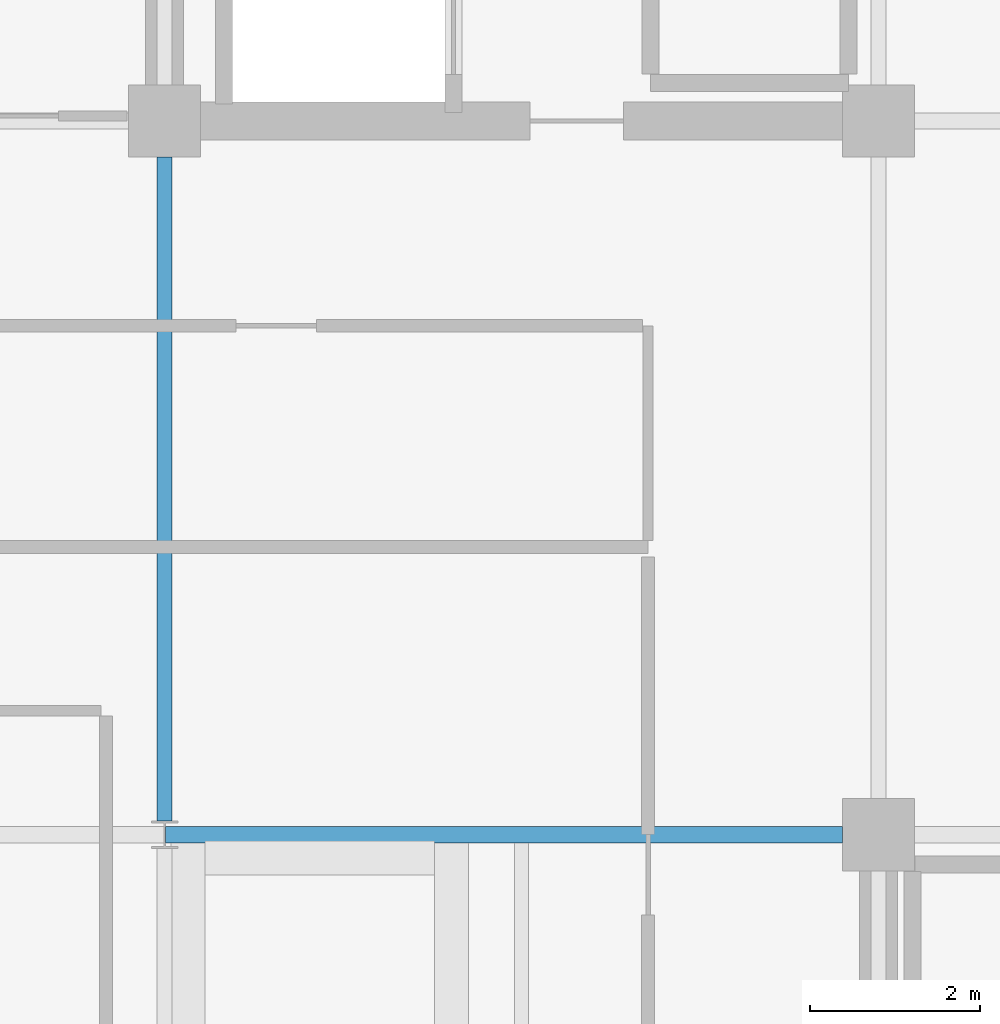
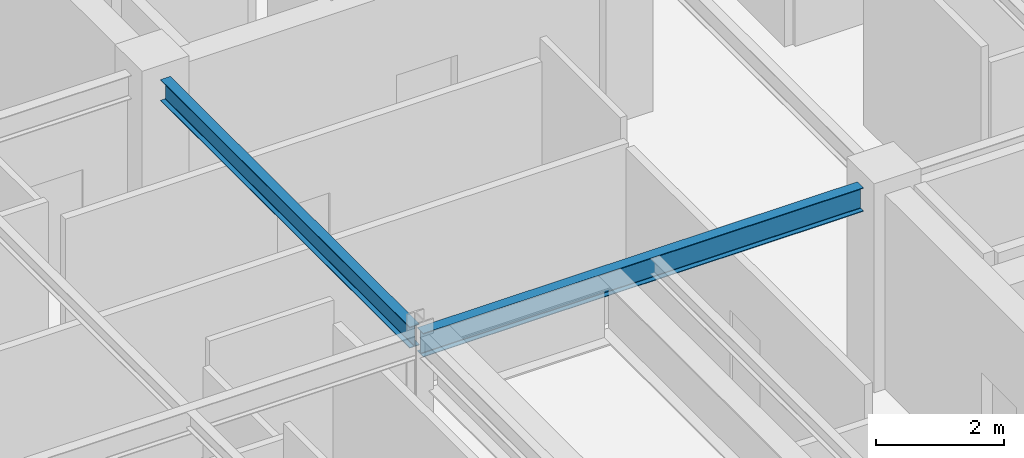
# One storey, part 10 of 25: 2 beams.
"""IFC4 building model written with IfcOpenShell, lengths in metres."""

from ifc_helpers import new_model, si_unit, direction, frame, origin, origin_2d, place, context, subcontext, project, spatial, i_section, extrude, material, material_profile, profile_set, type_object, element, save


model = new_model("IFC4")

# Units and contexts
model_context = context("Model", 3, precision=1e-05, world=origin(), true_north=direction((0.0, 1.0)))
body_context = subcontext(model_context, "Body", "Model", "MODEL_VIEW")
ifc_project = project(units=[si_unit("LENGTHUNIT", "METRE"), si_unit("AREAUNIT", "SQUARE_METRE"), si_unit("VOLUMEUNIT", "CUBIC_METRE"), si_unit("PLANEANGLEUNIT", "RADIAN"), si_unit("MASSUNIT", "GRAM", prefix="KILO")], contexts=[model_context])

# Site, building, storey
site_placement = place(None, origin())
site = spatial("IfcSite", under=ifc_project, at=site_placement, CompositionType="ELEMENT")
building_placement = place(site_placement, origin())
building = spatial("IfcBuilding", under=site, at=building_placement, Name="Nerrivon Quay Data Exchange", CompositionType="ELEMENT")
storey_placement = place(building_placement, frame((0.0, 0.0, 314.199951171875)))
storey = spatial("IfcBuildingStorey", under=building, at=storey_placement, Name="L75", CompositionType="ELEMENT", Elevation=314.199951171875)

# Beams
ifc_material = material(Name="Steel Grade 350", Category="steel")
ifc_material_profile_1 = material_profile(ifc_material, i_section(OverallWidth=0.18994140625, OverallDepth=0.4541015625, WebThickness=0.008544921875, FlangeThickness=0.0126953125, FilletRadius=0.011474609375, at=origin_2d()), Name="460UB67.1")
ifc_profile_set_1 = profile_set([ifc_material_profile_1], Name="Steel Grade 350")
beam_type_1 = type_object("IfcBeamType", Name="BM-G6-460UB67", PredefinedType="BEAM", material=ifc_profile_set_1)
beam_1_placement = place(storey_placement, frame((8.40771484375, 16.800048828125, 3.498046875), z_axis=(1.0, 0.0, 0.0), x_axis=(0.0, 1.0, 0.0)))
element("IfcBeam", 1, at=beam_1_placement, inside=storey, type_object=beam_type_1, Name="L75 EW Girder Y=16.8 (8.4..16.8)", PredefinedType="BEAM", context=body_context, shape_type="SweptSolid", body=[
    extrude(i_section(OverallWidth=0.18994140625, OverallDepth=0.4541015625, WebThickness=0.008544921875, FlangeThickness=0.0126953125, FilletRadius=0.011474609375, at=origin_2d()), origin(), (0.0, 0.0, 1.0), 7.96728515625),
])
ifc_material_profile_2 = material_profile(ifc_material, i_section(OverallWidth=0.177978515625, OverallDepth=0.406005859375, WebThickness=0.0078125, FlangeThickness=0.0126953125, FilletRadius=0.011474609375, at=origin_2d()), Name="410UB59.7")
ifc_profile_set_2 = profile_set([ifc_material_profile_2], Name="Steel Grade 350")
beam_type_2 = type_object("IfcBeamType", Name="BM-J1-410UB60", PredefinedType="JOIST", material=ifc_profile_set_2)
beam_2_placement = place(storey_placement, frame((8.39990234375, 16.96337890625, 3.52197265625), z_axis=(0.0, 1.0, 0.0), x_axis=(-1.0, 0.0, 0.0)))
element("IfcBeam", 2, at=beam_2_placement, inside=storey, type_object=beam_type_2, Name="L75 NS Girder X=8.4 (16.8..25.2)", PredefinedType="JOIST", context=body_context, shape_type="SweptSolid", body=[
    extrude(i_section(OverallWidth=0.177978515625, OverallDepth=0.406005859375, WebThickness=0.0078125, FlangeThickness=0.0126953125, FilletRadius=0.011474609375, at=origin_2d()), origin(), (0.0, 0.0, 1.0), 7.8115234375),
])

save(model, "model.ifc")
